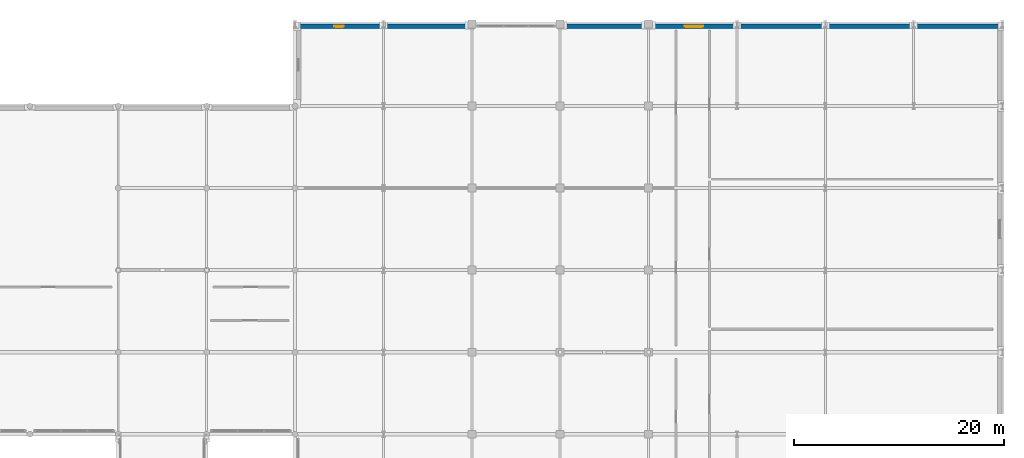
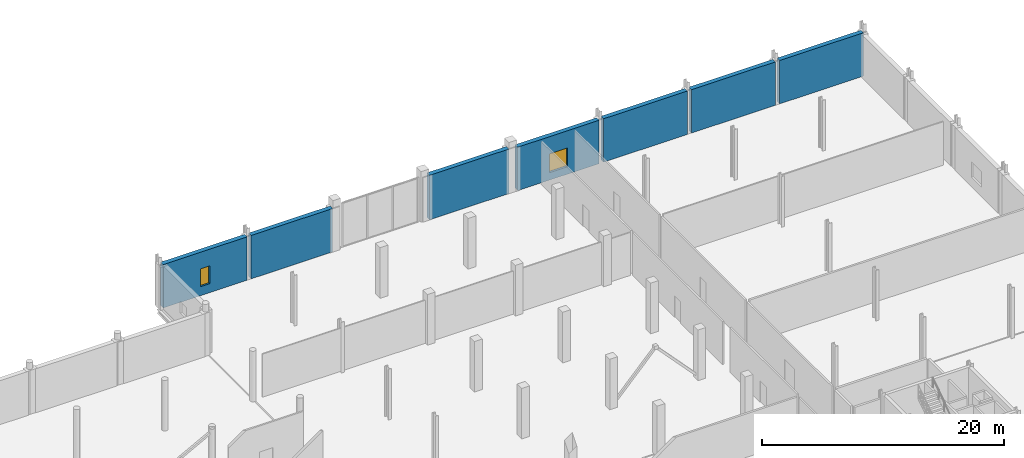
# One storey, part 85 of 105: 7 walls, 2 windows, 2 openings.
"""IFC4 building model written with IfcOpenShell, lengths in metres."""

from ifc_helpers import new_model, si_unit, direction, frame, frame_2d, origin, place, context, subcontext, project, spatial, rectangle, extrude, material, layer, layer_set, type_object, element, fill, save


model = new_model("IFC4")

# Units and contexts
model_context = context("Model", 3, precision=1e-05, world=origin(), true_north=direction((0.0, 1.0)))
body_context = subcontext(model_context, "Body", "Model", "MODEL_VIEW")
ifc_project = project(units=[si_unit("LENGTHUNIT", "METRE"), si_unit("AREAUNIT", "SQUARE_METRE"), si_unit("VOLUMEUNIT", "CUBIC_METRE"), si_unit("PLANEANGLEUNIT", "RADIAN"), si_unit("MASSUNIT", "GRAM", prefix="KILO")], contexts=[model_context])

# Site, building, storey
site_placement = place(None, origin())
site = spatial("IfcSite", under=ifc_project, at=site_placement, CompositionType="ELEMENT")
building_placement = place(site_placement, origin())
building = spatial("IfcBuilding", under=site, at=building_placement, Name="Nabrawat Pavilion Hospital", CompositionType="ELEMENT")
storey_placement = place(building_placement, frame((0.0, 0.0, 5.10009765625)))
storey = spatial("IfcBuildingStorey", under=building, at=storey_placement, Name="L01", CompositionType="ELEMENT", Elevation=5.10009765625)

# Wall, opening, window
ifc_material_1 = material(Name="Precast concrete C40/50", Category="concrete")
ifc_layer = layer(ifc_material_1, 0.419921875, Name="Precast concrete C40/50")
ifc_layer_set = layer_set([ifc_layer], Name="Precast concrete C40/50")
wall_type = type_object("IfcWallType", Name="Diagnostic Shielded Precast Facade Wall 420", PredefinedType="SOLIDWALL", material=ifc_layer_set)
wall_1_placement = place(storey_placement, frame((126.199951171875, 124.580078125, 0.0), z_axis=(0.0, 0.0, 1.0), x_axis=(1.0, 0.0, 0.0)))
wall_1 = element("IfcWall", 1, at=wall_1_placement, inside=storey, type_object=wall_type, Name="L01 Diagnostic Shielded Precast Facade Wall 420 214", PredefinedType="SOLIDWALL", context=body_context, shape_type="SweptSolid", body=[
    extrude(rectangle(XDim=8.0, YDim=0.419921875, at=frame_2d((4.0, 0.0))), origin(), (0.0, 0.0, 1.0), 4.3798828125),
])
opening_1_placement = place(wall_1_placement, frame((3.550048828125, 0.0, 0.89990234375)))
opening_1 = element("IfcOpeningElement", 2, at=opening_1_placement, cuts=wall_1, Name="Opening WN-19", PredefinedType="OPENING", context=body_context, shape_type="SweptSolid", body=[
    extrude(rectangle(XDim=0.89990234375, YDim=1.800048828125, at=frame_2d((0.449951171875, 0.89990234375))), frame((0.0, 0.219970703125, 0.0), z_axis=(0.0, -1.0, 0.0), x_axis=(1.0, 0.0, 0.0)), (0.0, 0.0, 1.0), 0.43994140625),
])
ifc_material_2 = material(Name="Thermally Broken Aluminium and Solar Glass", Category="aluminium")
window_type_1 = type_object("IfcWindowType", Name="Stair Core Natural Light Slot 900x1800", PartitioningType="SINGLE_PANEL", PredefinedType="WINDOW", material=ifc_material_2)
window_1_placement = place(opening_1_placement, origin())
window_1 = element("IfcWindow", 3, at=window_1_placement, inside=storey, type_object=window_type_1, Name="L01 Stair Core Natural Light Slot 900x1800 083", OverallHeight=1.800048828125, OverallWidth=0.89990234375, PartitioningType="SINGLE_PANEL", PredefinedType="WINDOW", context=body_context, shape_type="SweptSolid", body=[
    extrude(rectangle(XDim=0.89990234375, YDim=1.800048828125, at=frame_2d((0.449951171875, 0.89990234375))), frame((0.0, 0.030029296875, 0.0), z_axis=(0.0, -1.0, 0.0), x_axis=(1.0, 0.0, 0.0)), (0.0, 0.0, 1.0), 0.06005859375),
])
fill(opening_1, window_1)

# Walls
wall_2_placement = place(storey_placement, frame((134.60009765625, 124.580078125, 0.0), z_axis=(0.0, 0.0, 1.0), x_axis=(1.0, 0.0, 0.0)))
element("IfcWall", 4, at=wall_2_placement, inside=storey, type_object=wall_type, Name="L01 Diagnostic Shielded Precast Facade Wall 420 215", PredefinedType="SOLIDWALL", context=body_context, shape_type="SweptSolid", body=[
    extrude(rectangle(XDim=7.77490234375, YDim=0.419921875, at=frame_2d((3.887451171875, 0.0))), origin(), (0.0, 0.0, 1.0), 4.3798828125),
])
wall_3_placement = place(storey_placement, frame((151.625, 124.580078125, 0.0), z_axis=(0.0, 0.0, 1.0), x_axis=(1.0, 0.0, 0.0)))
element("IfcWall", 5, at=wall_3_placement, inside=storey, type_object=wall_type, Name="L01 Diagnostic Shielded Precast Facade Wall 420 216", PredefinedType="SOLIDWALL", context=body_context, shape_type="SweptSolid", body=[
    extrude(rectangle(XDim=7.550048828125, YDim=0.419921875, at=frame_2d((3.77490234375, 0.0))), origin(), (0.0, 0.0, 1.0), 4.489990234375),
])

# Wall, opening, window
wall_4_placement = place(storey_placement, frame((160.02490234375, 124.580078125, 0.0), z_axis=(0.0, 0.0, 1.0), x_axis=(1.0, 0.0, 0.0)))
wall_4 = element("IfcWall", 6, at=wall_4_placement, inside=storey, type_object=wall_type, Name="L01 Diagnostic Shielded Precast Facade Wall 420 217", PredefinedType="SOLIDWALL", context=body_context, shape_type="SweptSolid", body=[
    extrude(rectangle(XDim=7.775146484375, YDim=0.419921875, at=frame_2d((3.8876953125, 0.0))), origin(), (0.0, 0.0, 1.0), 4.3798828125),
])
opening_2_placement = place(wall_4_placement, frame((3.012451171875, 0.0, 0.75)))
opening_2 = element("IfcOpeningElement", 7, at=opening_2_placement, cuts=wall_4, Name="Opening WN-20", PredefinedType="OPENING", context=body_context, shape_type="SweptSolid", body=[
    extrude(rectangle(XDim=1.75, YDim=1.89990234375, at=frame_2d((0.875, 0.949951171875))), frame((0.0, 0.219970703125, 0.0), z_axis=(0.0, -1.0, 0.0), x_axis=(1.0, 0.0, 0.0)), (0.0, 0.0, 1.0), 0.43994140625),
])
window_type_2 = type_object("IfcWindowType", Name="Corridor End Daylight Window 1750x1900", PartitioningType="SINGLE_PANEL", PredefinedType="WINDOW", material=ifc_material_2)
window_2_placement = place(opening_2_placement, origin())
window_2 = element("IfcWindow", 8, at=window_2_placement, inside=storey, type_object=window_type_2, Name="L01 Corridor End Daylight Window 1750x1900 084", OverallHeight=1.89990234375, OverallWidth=1.75, PartitioningType="SINGLE_PANEL", PredefinedType="WINDOW", context=body_context, shape_type="SweptSolid", body=[
    extrude(rectangle(XDim=1.75, YDim=1.89990234375, at=frame_2d((0.875, 0.949951171875))), frame((0.0, 0.030029296875, 0.0), z_axis=(0.0, -1.0, 0.0), x_axis=(1.0, 0.0, 0.0)), (0.0, 0.0, 1.0), 0.06005859375),
])
fill(opening_2, window_2)

# Walls
for number, where, z_axis, x_axis, name in (
    (9, (168.199951171875, 124.580078125, 0.0), (0.0, 0.0, 1.0), (1.0, 0.0, 0.0), "L01 Diagnostic Shielded Precast Facade Wall 420 218"),
    (10, (176.60009765625, 124.580078125, 0.0), (0.0, 0.0, 1.0), (1.0, 0.0, 0.0), "L01 Diagnostic Shielded Precast Facade Wall 420 219"),
    (11, (185.0, 124.580078125, 0.0), (0.0, 0.0, 1.0), (1.0, 0.0, 0.0), "L01 Diagnostic Shielded Precast Facade Wall 420 220"),
):
    element("IfcWall", number, at=place(storey_placement, frame(where, z_axis=z_axis, x_axis=x_axis)), inside=storey, type_object=wall_type, Name=name, PredefinedType="SOLIDWALL", context=body_context, shape_type="SweptSolid", body=[
        extrude(rectangle(XDim=8.0, YDim=0.419921875, at=frame_2d((4.0, 0.0))), origin(), (0.0, 0.0, 1.0), 4.3798828125),
    ])

save(model, "model.ifc")
